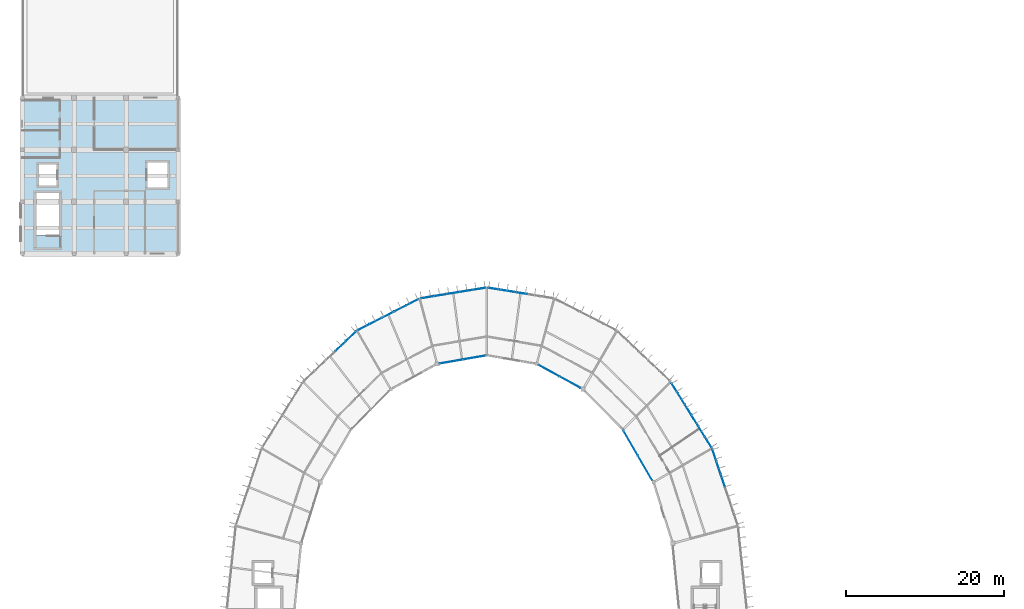
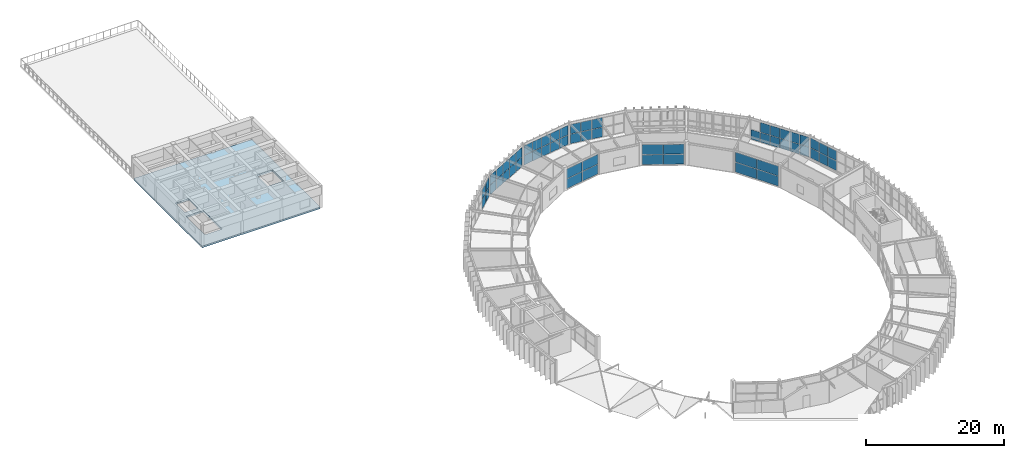
# One storey, part 83 of 106: 59 plates, 1 slab, 9 elements without a shape of their own.
"""IFC4 building model written with IfcOpenShell, lengths in metres."""

from ifc_helpers import new_model, si_unit, direction, frame, origin, origin_2d, place, context, subcontext, project, spatial, polyline, rectangle, outline, extrude, material, layer, layer_set, type_object, element, aggregate, save


model = new_model("IFC4")

# Units and contexts
model_context = context("Model", 3, precision=1e-05, world=origin(), true_north=direction((0.0, 1.0)))
body_context = subcontext(model_context, "Body", "Model", "MODEL_VIEW")
ifc_project = project(units=[si_unit("LENGTHUNIT", "METRE"), si_unit("AREAUNIT", "SQUARE_METRE"), si_unit("VOLUMEUNIT", "CUBIC_METRE"), si_unit("PLANEANGLEUNIT", "RADIAN"), si_unit("MASSUNIT", "GRAM", prefix="KILO")], contexts=[model_context])

# Site, building, storey
site_placement = place(None, origin())
site = spatial("IfcSite", under=ifc_project, at=site_placement, CompositionType="ELEMENT")
building_placement = place(site_placement, origin())
building = spatial("IfcBuilding", under=site, at=building_placement, Name="Karori Crest Natural Sciences Institute", CompositionType="ELEMENT")
storey_placement = place(building_placement, frame((0.0, 0.0, 25.89990234375)))
storey = spatial("IfcBuildingStorey", under=building, at=storey_placement, Name="L06", CompositionType="ELEMENT", Elevation=25.89990234375)

# Curtain wall, plates
ifc_material_1 = material(Name="Anodised architectural aluminium 6063-T6", Category="aluminium")
curtain_wall_type_1 = type_object("IfcCurtainWallType", Name="CWT-13", PredefinedType="NOTDEFINED", material=ifc_material_1)
curtain_wall_1_placement = place(storey_placement, origin())
curtain_wall_1 = element("IfcCurtainWall", 1, at=curtain_wall_1_placement, inside=storey, type_object=curtain_wall_type_1, Name="Curtain wall CW-0224", PredefinedType="NOTDEFINED")
ifc_material_2 = material(Name="Double low-E laminated glass", Category="glass")
ifc_layer_1 = layer(ifc_material_2, 0.02392578125, Name="Double low-E laminated glass")
ifc_layer_set_1 = layer_set([ifc_layer_1], Name="Double low-E laminated glass")
plate_type_1 = type_object("IfcPlateType", Name="CWP-01", PredefinedType="CURTAIN_PANEL", material=ifc_layer_set_1)
plate_1_placement = place(storey_placement, frame((86.48193359375, 67.80419921875, 0.06005859375), z_axis=(0.0, 0.0, 1.0), x_axis=(-0.502654910341, 0.864487154971, 0.0)))
plate_1 = element("IfcPlate", 2, at=plate_1_placement, type_object=plate_type_1, Name="CW-0224 panel 1.1", PredefinedType="CURTAIN_PANEL", context=body_context, shape_type="SweptSolid", body=[
    extrude(rectangle(XDim=3.585205078125, YDim=0.02392578125, at=origin_2d()), origin(), (0.0, 0.0, 1.0), 1.735107421875),
])
plate_2_placement = place(storey_placement, frame((86.48193359375, 67.80419921875, 1.85498046875), z_axis=(0.0, 0.0, 1.0), x_axis=(-0.502654910341, 0.864487154971, 0.0)))
plate_2 = element("IfcPlate", 3, at=plate_2_placement, type_object=plate_type_1, Name="CW-0224 panel 1.2", PredefinedType="CURTAIN_PANEL", context=body_context, shape_type="SweptSolid", body=[
    extrude(rectangle(XDim=3.585205078125, YDim=0.02392578125, at=origin_2d()), origin(), (0.0, 0.0, 1.0), 1.735107421875),
])
plate_3_placement = place(storey_placement, frame((84.647216796875, 70.959716796875, 0.06005859375), z_axis=(0.0, 0.0, 1.0), x_axis=(-0.502654910341, 0.864487154971, 0.0)))
plate_3 = element("IfcPlate", 4, at=plate_3_placement, type_object=plate_type_1, Name="CW-0224 panel 2.1", PredefinedType="CURTAIN_PANEL", context=body_context, shape_type="SweptSolid", body=[
    extrude(rectangle(XDim=3.585205078125, YDim=0.02392578125, at=origin_2d()), origin(), (0.0, 0.0, 1.0), 1.735107421875),
])
plate_4_placement = place(storey_placement, frame((84.647216796875, 70.959716796875, 1.85498046875), z_axis=(0.0, 0.0, 1.0), x_axis=(-0.502654910341, 0.864487154971, 0.0)))
plate_4 = element("IfcPlate", 5, at=plate_4_placement, type_object=plate_type_1, Name="CW-0224 panel 2.2", PredefinedType="CURTAIN_PANEL", context=body_context, shape_type="SweptSolid", body=[
    extrude(rectangle(XDim=3.585205078125, YDim=0.02392578125, at=origin_2d()), origin(), (0.0, 0.0, 1.0), 1.735107421875),
])
aggregate(curtain_wall_1, [plate_1, plate_2, plate_3, plate_4])

curtain_wall_type_2 = type_object("IfcCurtainWallType", Name="CWT-15", PredefinedType="NOTDEFINED", material=ifc_material_1)
curtain_wall_2_placement = place(storey_placement, origin())
curtain_wall_2 = element("IfcCurtainWall", 6, at=curtain_wall_2_placement, inside=storey, type_object=curtain_wall_type_2, Name="Curtain wall CW-0227", PredefinedType="NOTDEFINED")
plate_5_placement = place(storey_placement, frame((76.959228515625, 78.682861328125, 0.06005859375), z_axis=(0.0, 0.0, 1.0), x_axis=(-0.877470277057, 0.479631017431, 0.0)))
plate_5 = element("IfcPlate", 7, at=plate_5_placement, type_object=plate_type_1, Name="CW-0227 panel 1.1", PredefinedType="CURTAIN_PANEL", context=body_context, shape_type="SweptSolid", body=[
    extrude(rectangle(XDim=2.987060546875, YDim=0.02392578125, at=origin_2d()), origin(), (0.0, 0.0, 1.0), 1.735107421875),
])
plate_6_placement = place(storey_placement, frame((76.959228515625, 78.682861328125, 1.85498046875), z_axis=(0.0, 0.0, 1.0), x_axis=(-0.877470277057, 0.479631017431, 0.0)))
plate_6 = element("IfcPlate", 8, at=plate_6_placement, type_object=plate_type_1, Name="CW-0227 panel 1.2", PredefinedType="CURTAIN_PANEL", context=body_context, shape_type="SweptSolid", body=[
    extrude(rectangle(XDim=2.987060546875, YDim=0.02392578125, at=origin_2d()), origin(), (0.0, 0.0, 1.0), 1.735107421875),
])
plate_7_placement = place(storey_placement, frame((74.281005859375, 80.14697265625, 0.06005859375), z_axis=(0.0, 0.0, 1.0), x_axis=(-0.877470277057, 0.479631017431, 0.0)))
plate_7 = element("IfcPlate", 9, at=plate_7_placement, type_object=plate_type_1, Name="CW-0227 panel 2.1", PredefinedType="CURTAIN_PANEL", context=body_context, shape_type="SweptSolid", body=[
    extrude(rectangle(XDim=2.987060546875, YDim=0.02392578125, at=origin_2d()), origin(), (0.0, 0.0, 1.0), 1.735107421875),
])
plate_8_placement = place(storey_placement, frame((74.281005859375, 80.14697265625, 1.85498046875), z_axis=(0.0, 0.0, 1.0), x_axis=(-0.877470277057, 0.479631017431, 0.0)))
plate_8 = element("IfcPlate", 10, at=plate_8_placement, type_object=plate_type_1, Name="CW-0227 panel 2.2", PredefinedType="CURTAIN_PANEL", context=body_context, shape_type="SweptSolid", body=[
    extrude(rectangle(XDim=2.987060546875, YDim=0.02392578125, at=origin_2d()), origin(), (0.0, 0.0, 1.0), 1.735107421875),
])
aggregate(curtain_wall_2, [plate_5, plate_6, plate_7, plate_8])

curtain_wall_type_3 = type_object("IfcCurtainWallType", Name="CWT-07", PredefinedType="NOTDEFINED", material=ifc_material_1)
curtain_wall_3_placement = place(storey_placement, origin())
curtain_wall_3 = element("IfcCurtainWall", 11, at=curtain_wall_3_placement, inside=storey, type_object=curtain_wall_type_3, Name="Curtain wall CW-0229", PredefinedType="NOTDEFINED")
plate_9_placement = place(storey_placement, frame((58.8291015625, 89.4677734375, 0.065185546875), z_axis=(0.0, 0.0, 1.0), x_axis=(0.987011397252, 0.160650246484, 0.0)))
plate_9 = element("IfcPlate", 12, at=plate_9_placement, type_object=plate_type_1, Name="CW-0229 panel 1.1", PredefinedType="CURTAIN_PANEL", context=body_context, shape_type="SweptSolid", body=[
    extrude(rectangle(XDim=1.582275390625, YDim=0.02392578125, at=origin_2d()), origin(), (0.0, 0.0, 1.0), 1.6650390625),
])
plate_10_placement = place(storey_placement, frame((58.8291015625, 89.4677734375, 1.795166015625), z_axis=(0.0, 0.0, 1.0), x_axis=(0.987011397252, 0.160650246484, 0.0)))
plate_10 = element("IfcPlate", 13, at=plate_10_placement, type_object=plate_type_1, Name="CW-0229 panel 1.2", PredefinedType="CURTAIN_PANEL", context=body_context, shape_type="SweptSolid", body=[
    extrude(rectangle(XDim=1.582275390625, YDim=0.02392578125, at=origin_2d()), origin(), (0.0, 0.0, 1.0), 1.6650390625),
])
plate_11_placement = place(storey_placement, frame((60.47119140625, 89.735107421875, 0.065185546875), z_axis=(0.0, 0.0, 1.0), x_axis=(0.987011397252, 0.160650246484, 0.0)))
plate_11 = element("IfcPlate", 14, at=plate_11_placement, type_object=plate_type_1, Name="CW-0229 panel 2.1", PredefinedType="CURTAIN_PANEL", context=body_context, shape_type="SweptSolid", body=[
    extrude(rectangle(XDim=1.61474609375, YDim=0.02392578125, at=origin_2d()), origin(), (0.0, 0.0, 1.0), 1.6650390625),
])
plate_12_placement = place(storey_placement, frame((60.47119140625, 89.735107421875, 1.795166015625), z_axis=(0.0, 0.0, 1.0), x_axis=(0.987011397252, 0.160650246484, 0.0)))
plate_12 = element("IfcPlate", 15, at=plate_12_placement, type_object=plate_type_1, Name="CW-0229 panel 2.2", PredefinedType="CURTAIN_PANEL", context=body_context, shape_type="SweptSolid", body=[
    extrude(rectangle(XDim=1.61474609375, YDim=0.02392578125, at=origin_2d()), origin(), (0.0, 0.0, 1.0), 1.6650390625),
])
plate_13_placement = place(storey_placement, frame((62.129150390625, 90.0048828125, 0.065185546875), z_axis=(0.0, 0.0, 1.0), x_axis=(0.987011397252, 0.160650246484, 0.0)))
plate_13 = element("IfcPlate", 16, at=plate_13_placement, type_object=plate_type_1, Name="CW-0229 panel 3.1", PredefinedType="CURTAIN_PANEL", context=body_context, shape_type="SweptSolid", body=[
    extrude(rectangle(XDim=1.61474609375, YDim=0.02392578125, at=origin_2d()), origin(), (0.0, 0.0, 1.0), 1.6650390625),
])
plate_14_placement = place(storey_placement, frame((62.129150390625, 90.0048828125, 1.795166015625), z_axis=(0.0, 0.0, 1.0), x_axis=(0.987011397252, 0.160650246484, 0.0)))
plate_14 = element("IfcPlate", 17, at=plate_14_placement, type_object=plate_type_1, Name="CW-0229 panel 3.2", PredefinedType="CURTAIN_PANEL", context=body_context, shape_type="SweptSolid", body=[
    extrude(rectangle(XDim=1.61474609375, YDim=0.02392578125, at=origin_2d()), origin(), (0.0, 0.0, 1.0), 1.6650390625),
])
plate_15_placement = place(storey_placement, frame((63.787109375, 90.274658203125, 0.065185546875), z_axis=(0.0, 0.0, 1.0), x_axis=(0.987011397252, 0.160650246484, 0.0)))
plate_15 = element("IfcPlate", 18, at=plate_15_placement, type_object=plate_type_1, Name="CW-0229 panel 4.1", PredefinedType="CURTAIN_PANEL", context=body_context, shape_type="SweptSolid", body=[
    extrude(rectangle(XDim=1.61474609375, YDim=0.02392578125, at=origin_2d()), origin(), (0.0, 0.0, 1.0), 1.6650390625),
])
plate_16_placement = place(storey_placement, frame((63.787109375, 90.274658203125, 1.795166015625), z_axis=(0.0, 0.0, 1.0), x_axis=(0.987011397252, 0.160650246484, 0.0)))
plate_16 = element("IfcPlate", 19, at=plate_16_placement, type_object=plate_type_1, Name="CW-0229 panel 4.2", PredefinedType="CURTAIN_PANEL", context=body_context, shape_type="SweptSolid", body=[
    extrude(rectangle(XDim=1.61474609375, YDim=0.02392578125, at=origin_2d()), origin(), (0.0, 0.0, 1.0), 1.6650390625),
])
plate_17_placement = place(storey_placement, frame((65.428955078125, 90.5419921875, 0.065185546875), z_axis=(0.0, 0.0, 1.0), x_axis=(0.987011397252, 0.160650246484, 0.0)))
plate_17 = element("IfcPlate", 20, at=plate_17_placement, type_object=plate_type_1, Name="CW-0229 panel 5.1", PredefinedType="CURTAIN_PANEL", context=body_context, shape_type="SweptSolid", body=[
    extrude(rectangle(XDim=1.582275390625, YDim=0.02392578125, at=origin_2d()), origin(), (0.0, 0.0, 1.0), 1.6650390625),
])
plate_18_placement = place(storey_placement, frame((65.428955078125, 90.5419921875, 1.795166015625), z_axis=(0.0, 0.0, 1.0), x_axis=(0.987011397252, 0.160650246484, 0.0)))
plate_18 = element("IfcPlate", 21, at=plate_18_placement, type_object=plate_type_1, Name="CW-0229 panel 5.2", PredefinedType="CURTAIN_PANEL", context=body_context, shape_type="SweptSolid", body=[
    extrude(rectangle(XDim=1.582275390625, YDim=0.02392578125, at=origin_2d()), origin(), (0.0, 0.0, 1.0), 1.6650390625),
])
aggregate(curtain_wall_3, [plate_9, plate_10, plate_11, plate_12, plate_13, plate_14, plate_15, plate_16, plate_17, plate_18])

curtain_wall_type_4 = type_object("IfcCurtainWallType", Name="CWT-12", PredefinedType="NOTDEFINED", material=ifc_material_1)
curtain_wall_4_placement = place(storey_placement, origin())
curtain_wall_4 = element("IfcCurtainWall", 22, at=curtain_wall_4_placement, inside=storey, type_object=curtain_wall_type_4, Name="Curtain wall CW-0230", PredefinedType="NOTDEFINED")
plate_19_placement = place(storey_placement, frame((64.798095703125, 81.821533203125, 0.06005859375), z_axis=(0.0, 0.0, 1.0), x_axis=(-0.985240827231, -0.171173924291, 0.0)))
plate_19 = element("IfcPlate", 23, at=plate_19_placement, type_object=plate_type_1, Name="CW-0230 panel 1.1", PredefinedType="CURTAIN_PANEL", context=body_context, shape_type="SweptSolid", body=[
    extrude(rectangle(XDim=2.91796875, YDim=0.02392578125, at=origin_2d()), origin(), (0.0, 0.0, 1.0), 1.7099609375),
])
plate_20_placement = place(storey_placement, frame((64.798095703125, 81.821533203125, 1.830078125), z_axis=(0.0, 0.0, 1.0), x_axis=(-0.985240827231, -0.171173924291, 0.0)))
plate_20 = element("IfcPlate", 24, at=plate_20_placement, type_object=plate_type_1, Name="CW-0230 panel 1.2", PredefinedType="CURTAIN_PANEL", context=body_context, shape_type="SweptSolid", body=[
    extrude(rectangle(XDim=2.91796875, YDim=0.02392578125, at=origin_2d()), origin(), (0.0, 0.0, 1.0), 1.7099609375),
])
plate_21_placement = place(storey_placement, frame((61.859130859375, 81.31103515625, 0.06005859375), z_axis=(0.0, 0.0, 1.0), x_axis=(-0.985240827231, -0.171173924291, 0.0)))
plate_21 = element("IfcPlate", 25, at=plate_21_placement, type_object=plate_type_1, Name="CW-0230 panel 2.1", PredefinedType="CURTAIN_PANEL", context=body_context, shape_type="SweptSolid", body=[
    extrude(rectangle(XDim=2.91796875, YDim=0.02392578125, at=origin_2d()), origin(), (0.0, 0.0, 1.0), 1.7099609375),
])
plate_22_placement = place(storey_placement, frame((61.859130859375, 81.31103515625, 1.830078125), z_axis=(0.0, 0.0, 1.0), x_axis=(-0.985240827231, -0.171173924291, 0.0)))
plate_22 = element("IfcPlate", 26, at=plate_22_placement, type_object=plate_type_1, Name="CW-0230 panel 2.2", PredefinedType="CURTAIN_PANEL", context=body_context, shape_type="SweptSolid", body=[
    extrude(rectangle(XDim=2.91796875, YDim=0.02392578125, at=origin_2d()), origin(), (0.0, 0.0, 1.0), 1.7099609375),
])
aggregate(curtain_wall_4, [plate_19, plate_20, plate_21, plate_22])

curtain_wall_type_5 = type_object("IfcCurtainWallType", Name="CWT-02", PredefinedType="NOTDEFINED", material=ifc_material_1)
curtain_wall_5_placement = place(storey_placement, origin())
curtain_wall_5 = element("IfcCurtainWall", 27, at=curtain_wall_5_placement, inside=storey, type_object=curtain_wall_type_5, Name="Curtain wall CW-0222", PredefinedType="NOTDEFINED")
ifc_layer_2 = layer(ifc_material_2, 0.033935546875, Name="Double low-E laminated glass")
ifc_layer_set_2 = layer_set([ifc_layer_2], Name="Double low-E laminated glass")
plate_type_2 = type_object("IfcPlateType", Name="CWP-02", PredefinedType="CURTAIN_PANEL", material=ifc_layer_set_2)
plate_23_placement = place(storey_placement, frame((95.279541015625, 69.402587890625, 0.06005859375), z_axis=(0.0, 0.0, 1.0), x_axis=(0.317679803392, -0.94819805026, 0.0)))
plate_23 = element("IfcPlate", 28, at=plate_23_placement, type_object=plate_type_2, Name="CW-0222 panel 1.1", PredefinedType="CURTAIN_PANEL", context=body_context, shape_type="SweptSolid", body=[
    extrude(rectangle(XDim=1.59619140625, YDim=0.033935546875, at=origin_2d()), origin(), (0.0, 0.0, 1.0), 1.722412109375),
])
plate_24_placement = place(storey_placement, frame((95.279541015625, 69.402587890625, 1.8427734375), z_axis=(0.0, 0.0, 1.0), x_axis=(0.317679803392, -0.94819805026, 0.0)))
plate_24 = element("IfcPlate", 29, at=plate_24_placement, type_object=plate_type_2, Name="CW-0222 panel 1.2", PredefinedType="CURTAIN_PANEL", context=body_context, shape_type="SweptSolid", body=[
    extrude(rectangle(XDim=1.59619140625, YDim=0.033935546875, at=origin_2d()), origin(), (0.0, 0.0, 1.0), 1.722412109375),
])
plate_25_placement = place(storey_placement, frame((95.8125, 67.81201171875, 0.06005859375), z_axis=(0.0, 0.0, 1.0), x_axis=(0.317679803392, -0.94819805026, 0.0)))
plate_25 = element("IfcPlate", 30, at=plate_25_placement, type_object=plate_type_2, Name="CW-0222 panel 2.1", PredefinedType="CURTAIN_PANEL", context=body_context, shape_type="SweptSolid", body=[
    extrude(rectangle(XDim=1.628662109375, YDim=0.033935546875, at=origin_2d()), origin(), (0.0, 0.0, 1.0), 1.722412109375),
])
plate_26_placement = place(storey_placement, frame((95.8125, 67.81201171875, 1.8427734375), z_axis=(0.0, 0.0, 1.0), x_axis=(0.317679803392, -0.94819805026, 0.0)))
plate_26 = element("IfcPlate", 31, at=plate_26_placement, type_object=plate_type_2, Name="CW-0222 panel 2.2", PredefinedType="CURTAIN_PANEL", context=body_context, shape_type="SweptSolid", body=[
    extrude(rectangle(XDim=1.628662109375, YDim=0.033935546875, at=origin_2d()), origin(), (0.0, 0.0, 1.0), 1.722412109375),
])
plate_27_placement = place(storey_placement, frame((96.3505859375, 66.205810546875, 0.06005859375), z_axis=(0.0, 0.0, 1.0), x_axis=(0.317679803392, -0.94819805026, 0.0)))
plate_27 = element("IfcPlate", 32, at=plate_27_placement, type_object=plate_type_2, Name="CW-0222 panel 3.1", PredefinedType="CURTAIN_PANEL", context=body_context, shape_type="SweptSolid", body=[
    extrude(rectangle(XDim=1.628662109375, YDim=0.033935546875, at=origin_2d()), origin(), (0.0, 0.0, 1.0), 1.722412109375),
])
plate_28_placement = place(storey_placement, frame((96.3505859375, 66.205810546875, 1.8427734375), z_axis=(0.0, 0.0, 1.0), x_axis=(0.317679803392, -0.94819805026, 0.0)))
plate_28 = element("IfcPlate", 33, at=plate_28_placement, type_object=plate_type_2, Name="CW-0222 panel 3.2", PredefinedType="CURTAIN_PANEL", context=body_context, shape_type="SweptSolid", body=[
    extrude(rectangle(XDim=1.628662109375, YDim=0.033935546875, at=origin_2d()), origin(), (0.0, 0.0, 1.0), 1.722412109375),
])
aggregate(curtain_wall_5, [plate_23, plate_24, plate_25, plate_26, plate_27, plate_28])

curtain_wall_type_6 = type_object("IfcCurtainWallType", Name="CWT-08", PredefinedType="NOTDEFINED", material=ifc_material_1)
curtain_wall_6_placement = place(storey_placement, origin())
curtain_wall_6 = element("IfcCurtainWall", 34, at=curtain_wall_6_placement, inside=storey, type_object=curtain_wall_type_6, Name="Curtain wall CW-0231", PredefinedType="NOTDEFINED")
plate_29_placement = place(storey_placement, frame((50.765625, 85.677001953125, 0.06005859375), z_axis=(0.0, 0.0, 1.0), x_axis=(0.890067432138, 0.455828878252, 0.0)))
plate_29 = element("IfcPlate", 35, at=plate_29_placement, type_object=plate_type_2, Name="CW-0231 panel 1.1", PredefinedType="CURTAIN_PANEL", context=body_context, shape_type="SweptSolid", body=[
    extrude(rectangle(XDim=1.645751953125, YDim=0.033935546875, at=origin_2d()), origin(), (0.0, 0.0, 1.0), 1.672607421875),
])
plate_30_placement = place(storey_placement, frame((50.765625, 85.677001953125, 1.79248046875), z_axis=(0.0, 0.0, 1.0), x_axis=(0.890067432138, 0.455828878252, 0.0)))
plate_30 = element("IfcPlate", 36, at=plate_30_placement, type_object=plate_type_2, Name="CW-0231 panel 1.2", PredefinedType="CURTAIN_PANEL", context=body_context, shape_type="SweptSolid", body=[
    extrude(rectangle(XDim=1.645751953125, YDim=0.033935546875, at=origin_2d()), origin(), (0.0, 0.0, 1.0), 1.672607421875),
])
plate_31_placement = place(storey_placement, frame((52.302734375, 86.46435546875, 0.06005859375), z_axis=(0.0, 0.0, 1.0), x_axis=(0.890067432138, 0.455828878252, 0.0)))
plate_31 = element("IfcPlate", 37, at=plate_31_placement, type_object=plate_type_2, Name="CW-0231 panel 2.1", PredefinedType="CURTAIN_PANEL", context=body_context, shape_type="SweptSolid", body=[
    extrude(rectangle(XDim=1.678466796875, YDim=0.033935546875, at=origin_2d()), origin(), (0.0, 0.0, 1.0), 1.672607421875),
])
plate_32_placement = place(storey_placement, frame((52.302734375, 86.46435546875, 1.79248046875), z_axis=(0.0, 0.0, 1.0), x_axis=(0.890067432138, 0.455828878252, 0.0)))
plate_32 = element("IfcPlate", 38, at=plate_32_placement, type_object=plate_type_2, Name="CW-0231 panel 2.2", PredefinedType="CURTAIN_PANEL", context=body_context, shape_type="SweptSolid", body=[
    extrude(rectangle(XDim=1.678466796875, YDim=0.033935546875, at=origin_2d()), origin(), (0.0, 0.0, 1.0), 1.672607421875),
])
plate_33_placement = place(storey_placement, frame((53.8544921875, 87.259033203125, 0.06005859375), z_axis=(0.0, 0.0, 1.0), x_axis=(0.890067432138, 0.455828878252, 0.0)))
plate_33 = element("IfcPlate", 39, at=plate_33_placement, type_object=plate_type_2, Name="CW-0231 panel 3.1", PredefinedType="CURTAIN_PANEL", context=body_context, shape_type="SweptSolid", body=[
    extrude(rectangle(XDim=1.678466796875, YDim=0.033935546875, at=origin_2d()), origin(), (0.0, 0.0, 1.0), 1.672607421875),
])
plate_34_placement = place(storey_placement, frame((53.8544921875, 87.259033203125, 1.79248046875), z_axis=(0.0, 0.0, 1.0), x_axis=(0.890067432138, 0.455828878252, 0.0)))
plate_34 = element("IfcPlate", 40, at=plate_34_placement, type_object=plate_type_2, Name="CW-0231 panel 3.2", PredefinedType="CURTAIN_PANEL", context=body_context, shape_type="SweptSolid", body=[
    extrude(rectangle(XDim=1.678466796875, YDim=0.033935546875, at=origin_2d()), origin(), (0.0, 0.0, 1.0), 1.672607421875),
])
plate_35_placement = place(storey_placement, frame((55.40625, 88.0537109375, 0.06005859375), z_axis=(0.0, 0.0, 1.0), x_axis=(0.890067432138, 0.455828878252, 0.0)))
plate_35 = element("IfcPlate", 41, at=plate_35_placement, type_object=plate_type_2, Name="CW-0231 panel 4.1", PredefinedType="CURTAIN_PANEL", context=body_context, shape_type="SweptSolid", body=[
    extrude(rectangle(XDim=1.678466796875, YDim=0.033935546875, at=origin_2d()), origin(), (0.0, 0.0, 1.0), 1.672607421875),
])
plate_36_placement = place(storey_placement, frame((55.40625, 88.0537109375, 1.79248046875), z_axis=(0.0, 0.0, 1.0), x_axis=(0.890067432138, 0.455828878252, 0.0)))
plate_36 = element("IfcPlate", 42, at=plate_36_placement, type_object=plate_type_2, Name="CW-0231 panel 4.2", PredefinedType="CURTAIN_PANEL", context=body_context, shape_type="SweptSolid", body=[
    extrude(rectangle(XDim=1.678466796875, YDim=0.033935546875, at=origin_2d()), origin(), (0.0, 0.0, 1.0), 1.672607421875),
])
plate_37_placement = place(storey_placement, frame((56.943359375, 88.841064453125, 0.06005859375), z_axis=(0.0, 0.0, 1.0), x_axis=(0.890067432138, 0.455828878252, 0.0)))
plate_37 = element("IfcPlate", 43, at=plate_37_placement, type_object=plate_type_2, Name="CW-0231 panel 5.1", PredefinedType="CURTAIN_PANEL", context=body_context, shape_type="SweptSolid", body=[
    extrude(rectangle(XDim=1.645751953125, YDim=0.033935546875, at=origin_2d()), origin(), (0.0, 0.0, 1.0), 1.672607421875),
])
plate_38_placement = place(storey_placement, frame((56.943359375, 88.841064453125, 1.79248046875), z_axis=(0.0, 0.0, 1.0), x_axis=(0.890067432138, 0.455828878252, 0.0)))
plate_38 = element("IfcPlate", 44, at=plate_38_placement, type_object=plate_type_2, Name="CW-0231 panel 5.2", PredefinedType="CURTAIN_PANEL", context=body_context, shape_type="SweptSolid", body=[
    extrude(rectangle(XDim=1.645751953125, YDim=0.033935546875, at=origin_2d()), origin(), (0.0, 0.0, 1.0), 1.672607421875),
])
aggregate(curtain_wall_6, [plate_29, plate_30, plate_31, plate_32, plate_33, plate_34, plate_35, plate_36, plate_37, plate_38])

curtain_wall_type_7 = type_object("IfcCurtainWallType", Name="CWT-03", PredefinedType="NOTDEFINED", material=ifc_material_1)
curtain_wall_7_placement = place(storey_placement, origin())
curtain_wall_7 = element("IfcCurtainWall", 45, at=curtain_wall_7_placement, inside=storey, type_object=curtain_wall_type_7, Name="Curtain wall CW-0223", PredefinedType="NOTDEFINED")
ifc_layer_3 = layer(ifc_material_2, 0.0439453125, Name="Double low-E laminated glass")
ifc_layer_set_3 = layer_set([ifc_layer_3], Name="Double low-E laminated glass")
plate_type_3 = type_object("IfcPlateType", Name="CWP-03", PredefinedType="CURTAIN_PANEL", material=ifc_layer_set_3)
plate_39_placement = place(storey_placement, frame((90.2490234375, 77.921142578125, 0.06494140625), z_axis=(0.0, 0.0, 1.0), x_axis=(0.527327706489, -0.849661985715, 0.0)))
plate_39 = element("IfcPlate", 46, at=plate_39_placement, type_object=plate_type_3, Name="CW-0223 panel 1.1", PredefinedType="CURTAIN_PANEL", context=body_context, shape_type="SweptSolid", body=[
    extrude(rectangle(XDim=1.519287109375, YDim=0.0439453125, at=origin_2d()), origin(), (0.0, 0.0, 1.0), 1.715087890625),
])
plate_40_placement = place(storey_placement, frame((91.093017578125, 76.56103515625, 0.06494140625), z_axis=(0.0, 0.0, 1.0), x_axis=(0.527327706489, -0.849661985715, 0.0)))
plate_40 = element("IfcPlate", 47, at=plate_40_placement, type_object=plate_type_3, Name="CW-0223 panel 2.1", PredefinedType="CURTAIN_PANEL", context=body_context, shape_type="SweptSolid", body=[
    extrude(rectangle(XDim=1.5517578125, YDim=0.0439453125, at=origin_2d()), origin(), (0.0, 0.0, 1.0), 1.715087890625),
])
plate_41_placement = place(storey_placement, frame((91.093017578125, 76.56103515625, 1.84521484375), z_axis=(0.0, 0.0, 1.0), x_axis=(0.527327706489, -0.849661985715, 0.0)))
plate_41 = element("IfcPlate", 48, at=plate_41_placement, type_object=plate_type_3, Name="CW-0223 panel 2.2", PredefinedType="CURTAIN_PANEL", context=body_context, shape_type="SweptSolid", body=[
    extrude(rectangle(XDim=1.5517578125, YDim=0.0439453125, at=origin_2d()), origin(), (0.0, 0.0, 1.0), 1.715087890625),
])
plate_42_placement = place(storey_placement, frame((91.945556640625, 75.187255859375, 0.06494140625), z_axis=(0.0, 0.0, 1.0), x_axis=(0.527327706489, -0.849661985715, 0.0)))
plate_42 = element("IfcPlate", 49, at=plate_42_placement, type_object=plate_type_3, Name="CW-0223 panel 3.1", PredefinedType="CURTAIN_PANEL", context=body_context, shape_type="SweptSolid", body=[
    extrude(rectangle(XDim=1.5517578125, YDim=0.0439453125, at=origin_2d()), origin(), (0.0, 0.0, 1.0), 1.715087890625),
])
plate_43_placement = place(storey_placement, frame((91.945556640625, 75.187255859375, 1.84521484375), z_axis=(0.0, 0.0, 1.0), x_axis=(0.527327706489, -0.849661985715, 0.0)))
plate_43 = element("IfcPlate", 50, at=plate_43_placement, type_object=plate_type_3, Name="CW-0223 panel 3.2", PredefinedType="CURTAIN_PANEL", context=body_context, shape_type="SweptSolid", body=[
    extrude(rectangle(XDim=1.5517578125, YDim=0.0439453125, at=origin_2d()), origin(), (0.0, 0.0, 1.0), 1.715087890625),
])
plate_44_placement = place(storey_placement, frame((92.798095703125, 73.813720703125, 0.06494140625), z_axis=(0.0, 0.0, 1.0), x_axis=(0.527327706489, -0.849661985715, 0.0)))
plate_44 = element("IfcPlate", 51, at=plate_44_placement, type_object=plate_type_3, Name="CW-0223 panel 4.1", PredefinedType="CURTAIN_PANEL", context=body_context, shape_type="SweptSolid", body=[
    extrude(rectangle(XDim=1.5517578125, YDim=0.0439453125, at=origin_2d()), origin(), (0.0, 0.0, 1.0), 1.715087890625),
])
plate_45_placement = place(storey_placement, frame((92.798095703125, 73.813720703125, 1.84521484375), z_axis=(0.0, 0.0, 1.0), x_axis=(0.527327706489, -0.849661985715, 0.0)))
plate_45 = element("IfcPlate", 52, at=plate_45_placement, type_object=plate_type_3, Name="CW-0223 panel 4.2", PredefinedType="CURTAIN_PANEL", context=body_context, shape_type="SweptSolid", body=[
    extrude(rectangle(XDim=1.5517578125, YDim=0.0439453125, at=origin_2d()), origin(), (0.0, 0.0, 1.0), 1.715087890625),
])
plate_46_placement = place(storey_placement, frame((93.650634765625, 72.43994140625, 0.06494140625), z_axis=(0.0, 0.0, 1.0), x_axis=(0.527327706489, -0.849661985715, 0.0)))
plate_46 = element("IfcPlate", 53, at=plate_46_placement, type_object=plate_type_3, Name="CW-0223 panel 5.1", PredefinedType="CURTAIN_PANEL", context=body_context, shape_type="SweptSolid", body=[
    extrude(rectangle(XDim=1.5517578125, YDim=0.0439453125, at=origin_2d()), origin(), (0.0, 0.0, 1.0), 1.715087890625),
])
plate_47_placement = place(storey_placement, frame((93.650634765625, 72.43994140625, 1.84521484375), z_axis=(0.0, 0.0, 1.0), x_axis=(0.527327706489, -0.849661985715, 0.0)))
plate_47 = element("IfcPlate", 54, at=plate_47_placement, type_object=plate_type_3, Name="CW-0223 panel 5.2", PredefinedType="CURTAIN_PANEL", context=body_context, shape_type="SweptSolid", body=[
    extrude(rectangle(XDim=1.5517578125, YDim=0.0439453125, at=origin_2d()), origin(), (0.0, 0.0, 1.0), 1.715087890625),
])
plate_48_placement = place(storey_placement, frame((94.49462890625, 71.080078125, 0.06494140625), z_axis=(0.0, 0.0, 1.0), x_axis=(0.527327706489, -0.849661985715, 0.0)))
plate_48 = element("IfcPlate", 55, at=plate_48_placement, type_object=plate_type_3, Name="CW-0223 panel 6.1", PredefinedType="CURTAIN_PANEL", context=body_context, shape_type="SweptSolid", body=[
    extrude(rectangle(XDim=1.519287109375, YDim=0.0439453125, at=origin_2d()), origin(), (0.0, 0.0, 1.0), 1.715087890625),
])
plate_49_placement = place(storey_placement, frame((94.49462890625, 71.080078125, 1.84521484375), z_axis=(0.0, 0.0, 1.0), x_axis=(0.527327706489, -0.849661985715, 0.0)))
plate_49 = element("IfcPlate", 56, at=plate_49_placement, type_object=plate_type_3, Name="CW-0223 panel 6.2", PredefinedType="CURTAIN_PANEL", context=body_context, shape_type="SweptSolid", body=[
    extrude(rectangle(XDim=1.519287109375, YDim=0.0439453125, at=origin_2d()), origin(), (0.0, 0.0, 1.0), 1.715087890625),
])
aggregate(curtain_wall_7, [plate_39, plate_40, plate_41, plate_42, plate_43, plate_44, plate_45, plate_46, plate_47, plate_48, plate_49])

curtain_wall_type_8 = type_object("IfcCurtainWallType", Name="CWT-06", PredefinedType="NOTDEFINED", material=ifc_material_1)
curtain_wall_8_placement = place(storey_placement, origin())
curtain_wall_8 = element("IfcCurtainWall", 57, at=curtain_wall_8_placement, inside=storey, type_object=curtain_wall_type_8, Name="Curtain wall CW-0228", PredefinedType="NOTDEFINED")
plate_50_placement = place(storey_placement, frame((67.3759765625, 90.541259765625, 0.06005859375), z_axis=(0.0, 0.0, 1.0), x_axis=(0.987010543275, -0.160655493101, 0.0)))
plate_50 = element("IfcPlate", 58, at=plate_50_placement, type_object=plate_type_3, Name="CW-0228 panel 1.1", PredefinedType="CURTAIN_PANEL", context=body_context, shape_type="SweptSolid", body=[
    extrude(rectangle(XDim=1.592529296875, YDim=0.0439453125, at=origin_2d()), origin(), (0.0, 0.0, 1.0), 1.672607421875),
])
plate_51_placement = place(storey_placement, frame((67.3759765625, 90.541259765625, 1.79248046875), z_axis=(0.0, 0.0, 1.0), x_axis=(0.987010543275, -0.160655493101, 0.0)))
plate_51 = element("IfcPlate", 59, at=plate_51_placement, type_object=plate_type_3, Name="CW-0228 panel 1.2", PredefinedType="CURTAIN_PANEL", context=body_context, shape_type="SweptSolid", body=[
    extrude(rectangle(XDim=1.592529296875, YDim=0.0439453125, at=origin_2d()), origin(), (0.0, 0.0, 1.0), 1.672607421875),
])
plate_52_placement = place(storey_placement, frame((69.028076171875, 90.272216796875, 0.06005859375), z_axis=(0.0, 0.0, 1.0), x_axis=(0.987010543275, -0.160655493101, 0.0)))
plate_52 = element("IfcPlate", 60, at=plate_52_placement, type_object=plate_type_3, Name="CW-0228 panel 2.1", PredefinedType="CURTAIN_PANEL", context=body_context, shape_type="SweptSolid", body=[
    extrude(rectangle(XDim=1.625, YDim=0.0439453125, at=origin_2d()), origin(), (0.0, 0.0, 1.0), 1.672607421875),
])
plate_53_placement = place(storey_placement, frame((69.028076171875, 90.272216796875, 1.79248046875), z_axis=(0.0, 0.0, 1.0), x_axis=(0.987010543275, -0.160655493101, 0.0)))
plate_53 = element("IfcPlate", 61, at=plate_53_placement, type_object=plate_type_3, Name="CW-0228 panel 2.2", PredefinedType="CURTAIN_PANEL", context=body_context, shape_type="SweptSolid", body=[
    extrude(rectangle(XDim=1.625, YDim=0.0439453125, at=origin_2d()), origin(), (0.0, 0.0, 1.0), 1.672607421875),
])
plate_54_placement = place(storey_placement, frame((70.696044921875, 90.000732421875, 0.06005859375), z_axis=(0.0, 0.0, 1.0), x_axis=(0.987010543275, -0.160655493101, 0.0)))
plate_54 = element("IfcPlate", 62, at=plate_54_placement, type_object=plate_type_3, Name="CW-0228 panel 3.1", PredefinedType="CURTAIN_PANEL", context=body_context, shape_type="SweptSolid", body=[
    extrude(rectangle(XDim=1.625, YDim=0.0439453125, at=origin_2d()), origin(), (0.0, 0.0, 1.0), 1.672607421875),
])
plate_55_placement = place(storey_placement, frame((70.696044921875, 90.000732421875, 1.79248046875), z_axis=(0.0, 0.0, 1.0), x_axis=(0.987010543275, -0.160655493101, 0.0)))
plate_55 = element("IfcPlate", 63, at=plate_55_placement, type_object=plate_type_3, Name="CW-0228 panel 3.2", PredefinedType="CURTAIN_PANEL", context=body_context, shape_type="SweptSolid", body=[
    extrude(rectangle(XDim=1.625, YDim=0.0439453125, at=origin_2d()), origin(), (0.0, 0.0, 1.0), 1.672607421875),
])
aggregate(curtain_wall_8, [plate_50, plate_51, plate_52, plate_53, plate_54, plate_55])

curtain_wall_type_9 = type_object("IfcCurtainWallType", Name="CWT-09", PredefinedType="NOTDEFINED", material=ifc_material_1)
curtain_wall_9_placement = place(storey_placement, origin())
curtain_wall_9 = element("IfcCurtainWall", 64, at=curtain_wall_9_placement, inside=storey, type_object=curtain_wall_type_9, Name="Curtain wall CW-0232", PredefinedType="NOTDEFINED")
plate_56_placement = place(storey_placement, frame((47.834716796875, 83.274658203125, 0.065185546875), z_axis=(0.0, 0.0, 1.0), x_axis=(0.725473081026, 0.688250542104, 0.0)))
plate_56 = element("IfcPlate", 65, at=plate_56_placement, type_object=plate_type_3, Name="CW-0232 panel 4.1", PredefinedType="CURTAIN_PANEL", context=body_context, shape_type="SweptSolid", body=[
    extrude(rectangle(XDim=1.763427734375, YDim=0.0439453125, at=origin_2d()), origin(), (0.0, 0.0, 1.0), 1.6650390625),
])
plate_57_placement = place(storey_placement, frame((47.834716796875, 83.274658203125, 1.795166015625), z_axis=(0.0, 0.0, 1.0), x_axis=(0.725473081026, 0.688250542104, 0.0)))
plate_57 = element("IfcPlate", 66, at=plate_57_placement, type_object=plate_type_3, Name="CW-0232 panel 4.2", PredefinedType="CURTAIN_PANEL", context=body_context, shape_type="SweptSolid", body=[
    extrude(rectangle(XDim=1.763427734375, YDim=0.0439453125, at=origin_2d()), origin(), (0.0, 0.0, 1.0), 1.6650390625),
])
plate_58_placement = place(storey_placement, frame((49.1494140625, 84.521728515625, 0.065185546875), z_axis=(0.0, 0.0, 1.0), x_axis=(0.725473081026, 0.688250542104, 0.0)))
plate_58 = element("IfcPlate", 67, at=plate_58_placement, type_object=plate_type_3, Name="CW-0232 panel 5.1", PredefinedType="CURTAIN_PANEL", context=body_context, shape_type="SweptSolid", body=[
    extrude(rectangle(XDim=1.73095703125, YDim=0.0439453125, at=origin_2d()), origin(), (0.0, 0.0, 1.0), 1.6650390625),
])
plate_59_placement = place(storey_placement, frame((49.1494140625, 84.521728515625, 1.795166015625), z_axis=(0.0, 0.0, 1.0), x_axis=(0.725473081026, 0.688250542104, 0.0)))
plate_59 = element("IfcPlate", 68, at=plate_59_placement, type_object=plate_type_3, Name="CW-0232 panel 5.2", PredefinedType="CURTAIN_PANEL", context=body_context, shape_type="SweptSolid", body=[
    extrude(rectangle(XDim=1.73095703125, YDim=0.0439453125, at=origin_2d()), origin(), (0.0, 0.0, 1.0), 1.6650390625),
])
aggregate(curtain_wall_9, [plate_56, plate_57, plate_58, plate_59])

# Slab
ifc_material_3 = material(Name="Concrete 50 MPa", Category="concrete")
ifc_layer_4 = layer(ifc_material_3, 0.300048828125, Name="Concrete 50 MPa")
ifc_layer_set_4 = layer_set([ifc_layer_4], Name="Concrete 50 MPa")
slab_type = type_object("IfcSlabType", Name="SLT-04", PredefinedType="FLOOR", material=ifc_layer_set_4)
slab_placement = place(storey_placement, frame((0.0, 0.0, -0.2998046875)))
element("IfcSlab", 69, at=slab_placement, inside=storey, type_object=slab_type, Name="V4 Slab SL-0159", PredefinedType="FLOOR", context=body_context, shape_type="SweptSolid", body=[
    extrude(outline(polyline([(7.39990234375, 95.0), (27.199951171875, 95.0), (27.199951171875, 114.800048828125), (7.39990234375, 114.800048828125), (7.39990234375, 95.0)]), holes=[polyline([(12.10009765625, 97.300537109375), (9.199951171875, 97.300537109375), (9.199951171875, 102.699951171875), (12.10009765625, 102.699951171875), (12.10009765625, 97.300537109375)]), polyline([(9.52490234375, 106.375), (11.77490234375, 106.375), (11.77490234375, 103.625), (9.52490234375, 103.625), (9.52490234375, 106.375)]), polyline([(23.300048828125, 106.60009765625), (25.89990234375, 106.60009765625), (25.89990234375, 103.39990234375), (23.300048828125, 103.39990234375), (23.300048828125, 106.60009765625)])]), origin(), (0.0, 0.0, 1.0), 0.2998046875),
])

save(model, "model.ifc")
